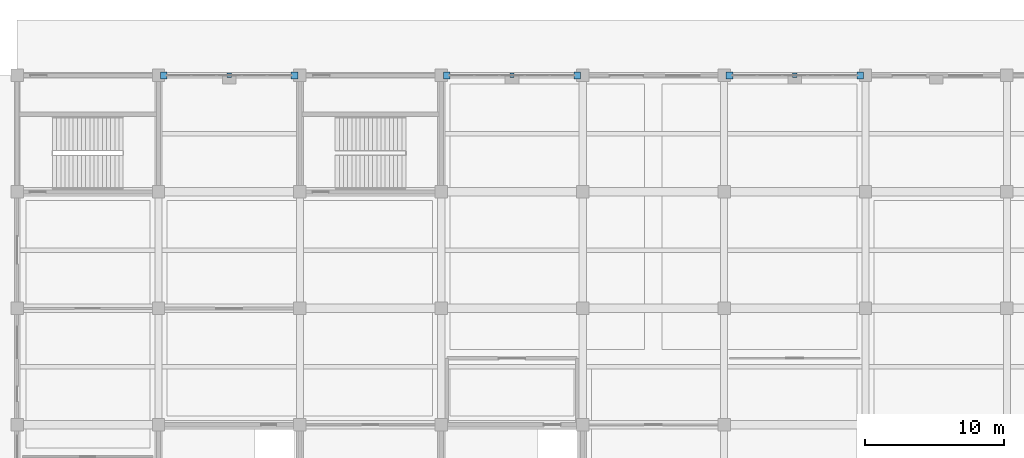
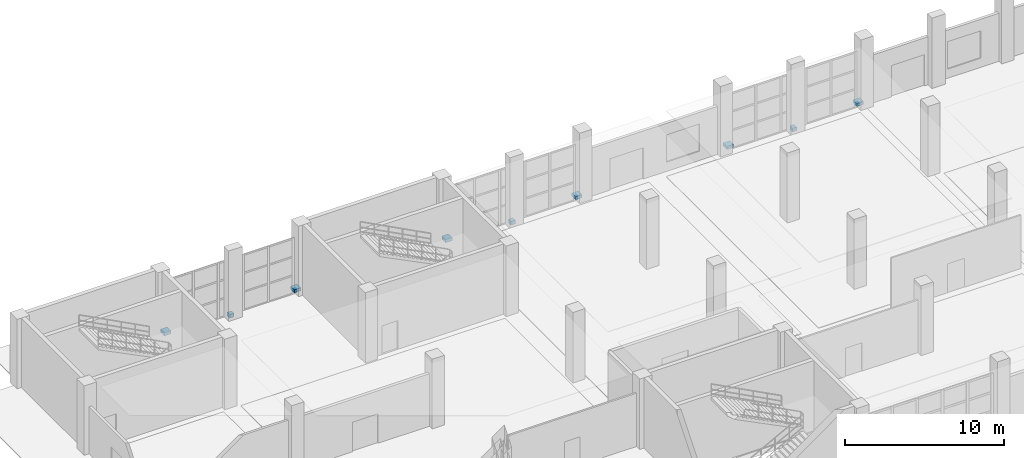
# One storey, part 107 of 124: 9 discrete accessories.
"""IFC4 building model written with IfcOpenShell, lengths in metres."""

from ifc_helpers import new_model, si_unit, direction, frame, origin, origin_2d, place, context, subcontext, project, spatial, rectangle, extrude, material, type_object, element, save


model = new_model("IFC4")

# Units and contexts
model_context = context("Model", 3, precision=1e-05, world=origin(), true_north=direction((0.0, 1.0)))
body_context = subcontext(model_context, "Body", "Model", "MODEL_VIEW")
ifc_project = project(units=[si_unit("LENGTHUNIT", "METRE"), si_unit("AREAUNIT", "SQUARE_METRE"), si_unit("VOLUMEUNIT", "CUBIC_METRE"), si_unit("PLANEANGLEUNIT", "RADIAN"), si_unit("MASSUNIT", "GRAM", prefix="KILO")], contexts=[model_context])

# Site, building, storey
site_placement = place(None, origin())
site = spatial("IfcSite", under=ifc_project, at=site_placement, CompositionType="ELEMENT")
building_placement = place(site_placement, origin())
building = spatial("IfcBuilding", under=site, at=building_placement, Name="Brelvane Convention Centre", CompositionType="ELEMENT")
storey_placement = place(building_placement, origin())
storey = spatial("IfcBuildingStorey", under=building, at=storey_placement, Name="L00", CompositionType="ELEMENT", Elevation=0.0)

# Discrete accessories
ifc_material = material(Name="Steel E350 (350 MPa)", Category="steel")
discrete_accessory_type = type_object("IfcDiscreteAccessoryType", Name="Facade Outrigger Bracket BRK-02", PredefinedType="BRACKET", material=ifc_material)
for number, where, z_axis, x_axis, name in (
    (1, (10.590087890625, 144.0, 0.22998046875), (0.0, 0.0, 1.0), (1.0, 0.0, 0.0), "Curtain Wall Anchor Bracket L00-V4N-02-L"),
    (2, (20.010009765625, 144.0, 0.22998046875), (0.0, 0.0, 1.0), (1.0, 0.0, 0.0), "Curtain Wall Anchor Bracket L00-V4N-02-R"),
):
    element("IfcDiscreteAccessory", number, at=place(storey_placement, frame(where, z_axis=z_axis, x_axis=x_axis)), inside=storey, type_object=discrete_accessory_type, Name=name, PredefinedType="BRACKET", context=body_context, shape_type="SweptSolid", body=[
        extrude(rectangle(XDim=0.47998046875, YDim=0.47998046875, at=origin_2d()), origin(), (0.0, 0.0, 1.0), 0.239990234375),
    ])
discrete_accessory_1_placement = place(storey_placement, frame((15.300048828125, 144.0, -0.14013671875), z_axis=(0.0, 0.0, 1.0), x_axis=(1.0, 0.0, 0.0)))
element("IfcDiscreteAccessory", 3, at=discrete_accessory_1_placement, inside=storey, type_object=discrete_accessory_type, Name="Curtain Wall Anchor Bracket L00-V4N-02-B", PredefinedType="BRACKET", context=body_context, shape_type="SweptSolid", body=[
    extrude(rectangle(XDim=0.320068359375, YDim=0.320068359375, at=origin_2d()), origin(), (0.0, 0.0, 1.0), 0.280029296875),
])
for number, where, z_axis, x_axis, name in (
    (4, (30.989990234375, 144.0, 0.22998046875), (0.0, 0.0, 1.0), (1.0, 0.0, 0.0), "Curtain Wall Anchor Bracket L00-V4N-04-L"),
    (5, (40.409912109375, 144.0, 0.22998046875), (0.0, 0.0, 1.0), (1.0, 0.0, 0.0), "Curtain Wall Anchor Bracket L00-V4N-04-R"),
):
    element("IfcDiscreteAccessory", number, at=place(storey_placement, frame(where, z_axis=z_axis, x_axis=x_axis)), inside=storey, type_object=discrete_accessory_type, Name=name, PredefinedType="BRACKET", context=body_context, shape_type="SweptSolid", body=[
        extrude(rectangle(XDim=0.47998046875, YDim=0.47998046875, at=origin_2d()), origin(), (0.0, 0.0, 1.0), 0.239990234375),
    ])
discrete_accessory_2_placement = place(storey_placement, frame((35.699951171875, 144.0, -0.14013671875), z_axis=(0.0, 0.0, 1.0), x_axis=(1.0, 0.0, 0.0)))
element("IfcDiscreteAccessory", 6, at=discrete_accessory_2_placement, inside=storey, type_object=discrete_accessory_type, Name="Curtain Wall Anchor Bracket L00-V4N-04-B", PredefinedType="BRACKET", context=body_context, shape_type="SweptSolid", body=[
    extrude(rectangle(XDim=0.320068359375, YDim=0.320068359375, at=origin_2d()), origin(), (0.0, 0.0, 1.0), 0.280029296875),
])
for number, where, z_axis, x_axis, name in (
    (7, (51.389892578125, 144.0, 0.22998046875), (0.0, 0.0, 1.0), (1.0, 0.0, 0.0), "Curtain Wall Anchor Bracket L00-V4N-06-L"),
    (8, (60.81005859375, 144.0, 0.22998046875), (0.0, 0.0, 1.0), (1.0, 0.0, 0.0), "Curtain Wall Anchor Bracket L00-V4N-06-R"),
):
    element("IfcDiscreteAccessory", number, at=place(storey_placement, frame(where, z_axis=z_axis, x_axis=x_axis)), inside=storey, type_object=discrete_accessory_type, Name=name, PredefinedType="BRACKET", context=body_context, shape_type="SweptSolid", body=[
        extrude(rectangle(XDim=0.47998046875, YDim=0.47998046875, at=origin_2d()), origin(), (0.0, 0.0, 1.0), 0.239990234375),
    ])
discrete_accessory_3_placement = place(storey_placement, frame((56.10009765625, 144.0, -0.14013671875), z_axis=(0.0, 0.0, 1.0), x_axis=(1.0, 0.0, 0.0)))
element("IfcDiscreteAccessory", 9, at=discrete_accessory_3_placement, inside=storey, type_object=discrete_accessory_type, Name="Curtain Wall Anchor Bracket L00-V4N-06-B", PredefinedType="BRACKET", context=body_context, shape_type="SweptSolid", body=[
    extrude(rectangle(XDim=0.320068359375, YDim=0.320068359375, at=origin_2d()), origin(), (0.0, 0.0, 1.0), 0.280029296875),
])

save(model, "model.ifc")
